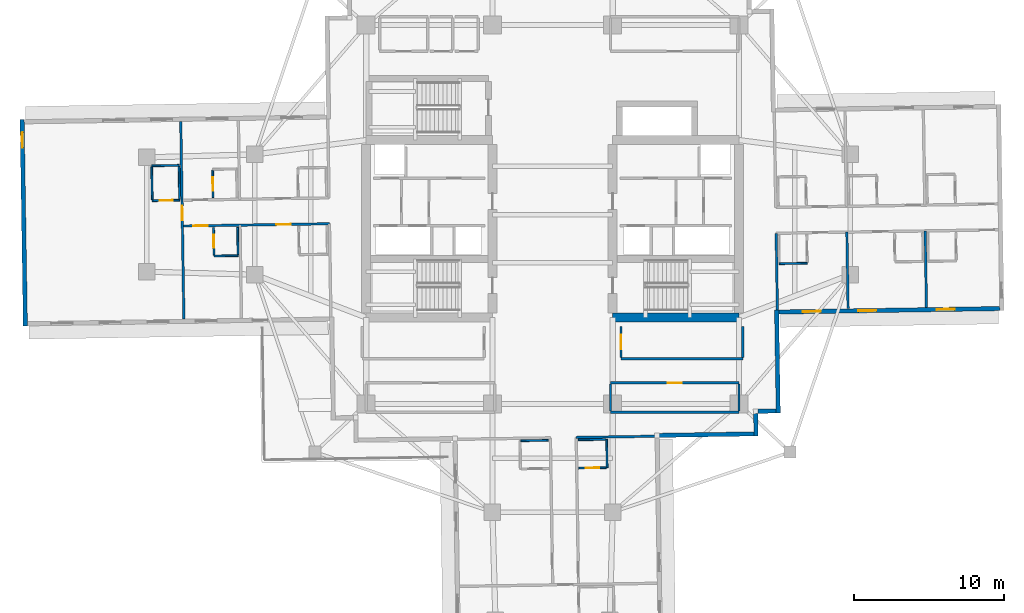
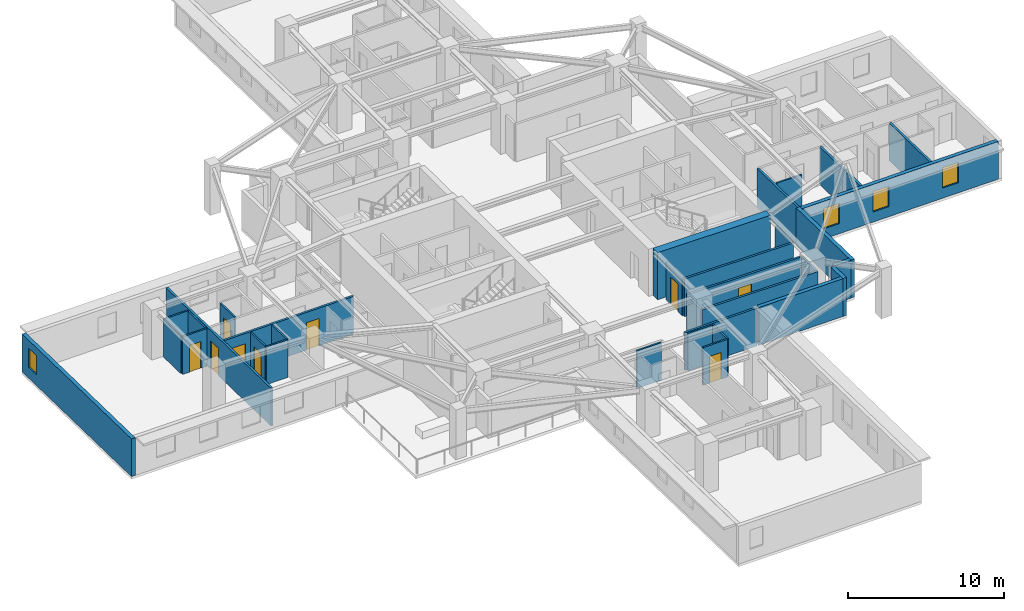
# One storey, part 4 of 14: 33 walls, 9 doors, 4 windows, 13 openings.
"""IFC4 building model written with IfcOpenShell, lengths in metres."""

from ifc_helpers import new_model, si_unit, direction, frame, frame_2d, origin, place, context, subcontext, project, spatial, rectangle, extrude, material, layer, layer_set, type_object, element, fill, save


model = new_model("IFC4")

# Units and contexts
model_context = context("Model", 3, precision=1e-05, world=origin(), true_north=direction((0.0, 1.0)))
body_context = subcontext(model_context, "Body", "Model", "MODEL_VIEW")
ifc_project = project(units=[si_unit("LENGTHUNIT", "METRE"), si_unit("AREAUNIT", "SQUARE_METRE"), si_unit("VOLUMEUNIT", "CUBIC_METRE"), si_unit("PLANEANGLEUNIT", "RADIAN"), si_unit("MASSUNIT", "GRAM", prefix="KILO")], contexts=[model_context])

# Site, building, storey
site_placement = place(None, origin())
site = spatial("IfcSite", under=ifc_project, at=site_placement, CompositionType="ELEMENT")
building_placement = place(site_placement, origin())
building = spatial("IfcBuilding", under=site, at=building_placement, Name="Qingluan Cross Belvedere", CompositionType="ELEMENT")
storey_placement = place(building_placement, frame((0.0, 0.0, 108.60009765625)))
storey = spatial("IfcBuildingStorey", under=building, at=storey_placement, Name="L27", CompositionType="ELEMENT", Elevation=108.60009765625)

# Walls
ifc_material_1 = material(Name="Concrete C60", Category="concrete")
ifc_layer_1 = layer(ifc_material_1, 0.60009765625, Name="CoreShearWall_600")
ifc_layer_set_1 = layer_set([ifc_layer_1], Name="Concrete C60")
wall_type_1 = type_object("IfcWallType", Name="CoreShearWall_600", PredefinedType="SHEAR", material=ifc_layer_set_1)
wall_1_placement = place(storey_placement, frame((4.0, -6.85009765625, 0.0), z_axis=(0.0, 0.0, 1.0), x_axis=(1.0, 0.0, 0.0)))
element("IfcWall", 1, at=wall_1_placement, inside=storey, type_object=wall_type_1, Name="Split core E shear wall L27-S", PredefinedType="SHEAR", context=body_context, shape_type="SweptSolid", body=[
    extrude(rectangle(XDim=8.39990234375, YDim=0.60009765625, at=frame_2d((4.199951171875, 0.0))), origin(), (0.0, 0.0, 1.0), 3.699951171875),
])
ifc_material_2 = material(Name="Gypsum plasterboard on steel stud acoustic partition", Category="steel")
ifc_layer_2 = layer(ifc_material_2, 0.159912109375, Name="CorridorPartition_160")
ifc_layer_set_2 = layer_set([ifc_layer_2], Name="Gypsum plasterboard on steel stud acoustic partition")
wall_type_2 = type_object("IfcWallType", Name="CorridorPartition_160", PredefinedType="PARTITIONING", material=ifc_layer_set_2)
wall_2_placement = place(storey_placement, frame((3.85009765625, -13.14990234375, 0.0), z_axis=(0.0, 0.0, 1.0), x_axis=(1.0, 0.0, 0.0)))
element("IfcWall", 2, at=wall_2_placement, inside=storey, type_object=wall_type_2, Name="Partition L27:q_se:S", PredefinedType="PARTITIONING", context=body_context, shape_type="SweptSolid", body=[
    extrude(rectangle(XDim=8.5498046875, YDim=0.159912109375, at=frame_2d((4.27490234375, 0.0))), origin(), (0.0, 0.0, 1.0), 2.9599609375),
])

# Wall, opening, door
wall_3_placement = place(storey_placement, frame((3.85009765625, -11.199951171875, 0.0), z_axis=(0.0, 0.0, 1.0), x_axis=(1.0, 0.0, 0.0)))
wall_3 = element("IfcWall", 3, at=wall_3_placement, inside=storey, type_object=wall_type_2, Name="Partition L27:q_se:N", PredefinedType="PARTITIONING", context=body_context, shape_type="SweptSolid", body=[
    extrude(rectangle(XDim=8.5498046875, YDim=0.159912109375, at=frame_2d((4.27490234375, 0.0))), origin(), (0.0, 0.0, 1.0), 2.9599609375),
])
opening_1_placement = place(wall_3_placement, frame((3.794921875, 0.0, 0.0)))
opening_1 = element("IfcOpeningElement", 4, at=opening_1_placement, cuts=wall_3, Name="Opening GD-10", PredefinedType="OPENING", context=body_context, shape_type="SweptSolid", body=[
    extrude(rectangle(XDim=0.9599609375, YDim=2.14990234375, at=frame_2d((0.47998046875, 1.074951171875))), frame((0.0, 0.08984375, 0.0), z_axis=(0.0, -1.0, 0.0), x_axis=(1.0, 0.0, 0.0)), (0.0, 0.0, 1.0), 0.179931640625),
])
ifc_material_3 = material(Name="Timber oak fire-rated acoustic guestroom door", Category="wood")
door_type_1 = type_object("IfcDoorType", Name="GuestEntryDoor_FD60", OperationType="NOTDEFINED", PredefinedType="DOOR", material=ifc_material_3)
door_1_placement = place(opening_1_placement, origin())
door_1 = element("IfcDoor", 5, at=door_1_placement, inside=storey, type_object=door_type_1, Name="Concierge business office L27 door", OperationType="SINGLE_SWING_LEFT", OverallHeight=2.14990234375, OverallWidth=0.9599609375, PredefinedType="DOOR", context=body_context, shape_type="SweptSolid", body=[
    extrude(rectangle(XDim=0.9599609375, YDim=2.14990234375, at=frame_2d((0.47998046875, 1.074951171875))), frame((0.0, 0.02490234375, 0.0), z_axis=(0.0, -1.0, 0.0), x_axis=(1.0, 0.0, 0.0)), (0.0, 0.0, 1.0), 0.050048828125),
])
fill(opening_1, door_1)

# Walls
for number, where, z_axis, x_axis, name in (
    (6, (3.85009765625, -13.06494140625, 0.0), (0.0, 0.0, 1.0), (0.0, 1.0, 0.0), "Partition L27:q_se:W"),
    (7, (12.39990234375, -13.06494140625, 0.0), (0.0, 0.0, 1.0), (0.0, 1.0, 0.0), "Partition L27:q_se:E"),
):
    element("IfcWall", number, at=place(storey_placement, frame(where, z_axis=z_axis, x_axis=x_axis)), inside=storey, type_object=wall_type_2, Name=name, PredefinedType="PARTITIONING", context=body_context, shape_type="SweptSolid", body=[
        extrude(rectangle(XDim=1.780029296875, YDim=0.159912109375, at=frame_2d((0.89013671875, 0.0))), origin(), (0.0, 0.0, 1.0), 2.9599609375),
    ])
wall_4_placement = place(storey_placement, frame((4.550048828125, -9.580078125, 0.0), z_axis=(0.0, 0.0, 1.0), x_axis=(1.0, 0.0, 0.0)))
element("IfcWall", 8, at=wall_4_placement, inside=storey, type_object=wall_type_2, Name="Partition L27:rec_st4:S", PredefinedType="PARTITIONING", context=body_context, shape_type="SweptSolid", body=[
    extrude(rectangle(XDim=8.099853515625, YDim=0.159912109375, at=frame_2d((4.0498046875, 0.0))), origin(), (0.0, 0.0, 1.0), 2.9599609375),
])

# Wall, opening, door
wall_5_placement = place(storey_placement, frame((4.550048828125, -9.4951171875, 0.0), z_axis=(0.0, 0.0, 1.0), x_axis=(0.0, 1.0, 0.0)))
wall_5 = element("IfcWall", 9, at=wall_5_placement, inside=storey, type_object=wall_type_2, Name="Partition L27:rec_st4:W", PredefinedType="PARTITIONING", context=body_context, shape_type="SweptSolid", body=[
    extrude(rectangle(XDim=2.06005859375, YDim=0.159912109375, at=frame_2d((1.030029296875, 0.0))), origin(), (0.0, 0.0, 1.0), 2.9599609375),
])
opening_2_placement = place(wall_5_placement, frame((0.550048828125, 0.0, 0.0)))
opening_2 = element("IfcOpeningElement", 10, at=opening_2_placement, cuts=wall_5, Name="Opening GD-10", PredefinedType="OPENING", context=body_context, shape_type="SweptSolid", body=[
    extrude(rectangle(XDim=0.9599609375, YDim=2.14990234375, at=frame_2d((0.47998046875, 1.074951171875))), frame((0.0, 0.08984375, 0.0), z_axis=(0.0, -1.0, 0.0), x_axis=(1.0, 0.0, 0.0)), (0.0, 0.0, 1.0), 0.179931640625),
])
door_2_placement = place(opening_2_placement, origin())
door_2 = element("IfcDoor", 11, at=door_2_placement, inside=storey, type_object=door_type_1, Name="Southeast club library room L27 door", OperationType="SINGLE_SWING_RIGHT", OverallHeight=2.14990234375, OverallWidth=0.9599609375, PredefinedType="DOOR", context=body_context, shape_type="SweptSolid", body=[
    extrude(rectangle(XDim=0.9599609375, YDim=2.14990234375, at=frame_2d((0.47998046875, 1.074951171875))), frame((0.0, 0.02490234375, 0.0), z_axis=(0.0, -1.0, 0.0), x_axis=(1.0, 0.0, 0.0)), (0.0, 0.0, 1.0), 0.050048828125),
])
fill(opening_2, door_2)

# Walls
wall_6_placement = place(storey_placement, frame((12.64990234375, -9.4951171875, 0.0), z_axis=(0.0, 0.0, 1.0), x_axis=(0.0, 1.0, 0.0)))
element("IfcWall", 12, at=wall_6_placement, inside=storey, type_object=wall_type_2, Name="Partition L27:rec_st4:E", PredefinedType="PARTITIONING", context=body_context, shape_type="SweptSolid", body=[
    extrude(rectangle(XDim=2.06005859375, YDim=0.159912109375, at=frame_2d((1.030029296875, 0.0))), origin(), (0.0, 0.0, 1.0), 2.9599609375),
])
wall_7_placement = place(storey_placement, frame((14.871337890625, -1.24658203125, 0.0), z_axis=(0.0, 0.0, 1.0), x_axis=(0.015726452326, -0.999876331702, 0.0)))
element("IfcWall", 13, at=wall_7_placement, inside=storey, type_object=wall_type_2, Name="Partition L27:E:s1", PredefinedType="PARTITIONING", context=body_context, shape_type="SweptSolid", body=[
    extrude(rectangle(XDim=5.092041015625, YDim=0.159912109375, at=frame_2d((2.5458984375, 0.0))), origin(), (0.0, 0.0, 1.0), 2.9599609375),
])
wall_8_placement = place(storey_placement, frame((19.57373046875, -1.172607421875, 0.0), z_axis=(0.0, 0.0, 1.0), x_axis=(0.015725698427, -0.999876343559, 0.0)))
element("IfcWall", 14, at=wall_8_placement, inside=storey, type_object=wall_type_2, Name="Partition L27:E:d1_0", PredefinedType="PARTITIONING", context=body_context, shape_type="SweptSolid", body=[
    extrude(rectangle(XDim=5.09228515625, YDim=0.159912109375, at=frame_2d((2.546142578125, 0.0))), origin(), (0.0, 0.0, 1.0), 2.9599609375),
])
wall_9_placement = place(storey_placement, frame((24.7841796875, -1.0908203125, 0.0), z_axis=(0.0, 0.0, 1.0), x_axis=(0.015726452326, -0.999876331702, 0.0)))
element("IfcWall", 15, at=wall_9_placement, inside=storey, type_object=wall_type_2, Name="Partition L27:E:d1_1", PredefinedType="PARTITIONING", context=body_context, shape_type="SweptSolid", body=[
    extrude(rectangle(XDim=5.092041015625, YDim=0.159912109375, at=frame_2d((2.5458984375, 0.0))), origin(), (0.0, 0.0, 1.0), 2.9599609375),
])

# Wall, openings, doors
wall_10_placement = place(storey_placement, frame((-14.84228515625, -0.61328125, 0.0), z_axis=(0.0, 0.0, 1.0), x_axis=(-0.999876658521, -0.015705659641, 0.0)))
wall_10 = element("IfcWall", 16, at=wall_10_placement, inside=storey, type_object=wall_type_2, Name="Partition L27:W:c1", PredefinedType="PARTITIONING", context=body_context, shape_type="SweptSolid", body=[
    extrude(rectangle(XDim=9.699951171875, YDim=0.159912109375, at=frame_2d((4.85009765625, 0.0))), origin(), (0.0, 0.0, 1.0), 2.9599609375),
])
opening_3_placement = place(wall_10_placement, frame((2.574951171875, 0.0, 0.0)))
opening_3 = element("IfcOpeningElement", 17, at=opening_3_placement, cuts=wall_10, Name="Opening GD-10", PredefinedType="OPENING", context=body_context, shape_type="SweptSolid", body=[
    extrude(rectangle(XDim=0.9599609375, YDim=2.14990234375, at=frame_2d((0.47998046875, 1.074951171875))), frame((0.0, 0.08984375, 0.0), z_axis=(0.0, -1.0, 0.0), x_axis=(1.0, 0.0, 0.0)), (0.0, 0.0, 1.0), 0.179931640625),
])
opening_4_placement = place(wall_10_placement, frame((8.096923828125, 0.0, 0.0)))
opening_4 = element("IfcOpeningElement", 18, at=opening_4_placement, cuts=wall_10, Name="Opening GD-10", PredefinedType="OPENING", context=body_context, shape_type="SweptSolid", body=[
    extrude(rectangle(XDim=0.9599609375, YDim=2.14990234375, at=frame_2d((0.47998046875, 1.074951171875))), frame((0.0, 0.08984375, 0.0), z_axis=(0.0, -1.0, 0.0), x_axis=(1.0, 0.0, 0.0)), (0.0, 0.0, 1.0), 0.179931640625),
])
door_3_placement = place(opening_3_placement, origin())
door_3 = element("IfcDoor", 19, at=door_3_placement, inside=storey, type_object=door_type_1, Name="Guest entry fire door 2709", OperationType="SINGLE_SWING_RIGHT", OverallHeight=2.14990234375, OverallWidth=0.9599609375, PredefinedType="DOOR", context=body_context, shape_type="SweptSolid", body=[
    extrude(rectangle(XDim=0.9599609375, YDim=2.14990234375, at=frame_2d((0.47998046875, 1.074951171875))), frame((0.0, 0.02490234375, 0.0), z_axis=(0.0, -1.0, 0.0), x_axis=(1.0, 0.0, 0.0)), (0.0, 0.0, 1.0), 0.050048828125),
])
fill(opening_3, door_3)
door_4_placement = place(opening_4_placement, origin())
door_4 = element("IfcDoor", 20, at=door_4_placement, inside=storey, type_object=door_type_1, Name="Guest entry fire door 2710", OperationType="SINGLE_SWING_RIGHT", OverallHeight=2.14990234375, OverallWidth=0.9599609375, PredefinedType="DOOR", context=body_context, shape_type="SweptSolid", body=[
    extrude(rectangle(XDim=0.9599609375, YDim=2.14990234375, at=frame_2d((0.47998046875, 1.074951171875))), frame((0.0, 0.02490234375, 0.0), z_axis=(0.0, -1.0, 0.0), x_axis=(1.0, 0.0, 0.0)), (0.0, 0.0, 1.0), 0.050048828125),
])
fill(opening_4, door_4)

# Wall
wall_11_placement = place(storey_placement, frame((1.572998046875, -14.8271484375, 0.0), z_axis=(0.0, 0.0, 1.0), x_axis=(0.999876730622, 0.015701068748, 0.0)))
element("IfcWall", 21, at=wall_11_placement, inside=storey, type_object=wall_type_2, Name="Partition L27:S:s0", PredefinedType="PARTITIONING", context=body_context, shape_type="SweptSolid", body=[
    extrude(rectangle(XDim=5.380126953125, YDim=0.159912109375, at=frame_2d((2.68994140625, 0.0))), origin(), (0.0, 0.0, 1.0), 2.9599609375),
])

# Wall, opening, door
wall_12_placement = place(storey_placement, frame((-24.523681640625, -6.9580078125, 0.0), z_axis=(0.0, 0.0, 1.0), x_axis=(-0.015713911007, 0.999876528878, 0.0)))
wall_12 = element("IfcWall", 22, at=wall_12_placement, inside=storey, type_object=wall_type_2, Name="Partition L27:Wcap:in", PredefinedType="PARTITIONING", context=body_context, shape_type="SweptSolid", body=[
    extrude(rectangle(XDim=13.14404296875, YDim=0.159912109375, at=frame_2d((6.572021484375, 0.0))), origin(), (0.0, 0.0, 1.0), 2.9599609375),
])
opening_5_placement = place(wall_12_placement, frame((6.572021484375, 0.0, 0.0)))
opening_5 = element("IfcOpeningElement", 23, at=opening_5_placement, cuts=wall_12, Name="Opening GD-10", PredefinedType="OPENING", context=body_context, shape_type="SweptSolid", body=[
    extrude(rectangle(XDim=0.9599609375, YDim=2.14990234375, at=frame_2d((0.47998046875, 1.074951171875))), frame((0.0, 0.08984375, 0.0), z_axis=(0.0, -1.0, 0.0), x_axis=(1.0, 0.0, 0.0)), (0.0, 0.0, 1.0), 0.179931640625),
])
door_5_placement = place(opening_5_placement, origin())
door_5 = element("IfcDoor", 24, at=door_5_placement, inside=storey, type_object=door_type_1, Name="Presidential suite entrance door L27W", OperationType="SINGLE_SWING_LEFT", OverallHeight=2.14990234375, OverallWidth=0.9599609375, PredefinedType="DOOR", context=body_context, shape_type="SweptSolid", body=[
    extrude(rectangle(XDim=0.9599609375, YDim=2.14990234375, at=frame_2d((0.47998046875, 1.074951171875))), frame((0.0, 0.02490234375, 0.0), z_axis=(0.0, -1.0, 0.0), x_axis=(1.0, 0.0, 0.0)), (0.0, 0.0, 1.0), 0.050048828125),
])
fill(opening_5, door_5)

# Wall
ifc_material_4 = material(Name="Moisture-resistant gypsum board lining")
ifc_layer_3 = layer(ifc_material_4, 0.1201171875, Name="EnsuiteWetPartition_120")
ifc_layer_set_3 = layer_set([ifc_layer_3], Name="Moisture-resistant gypsum board lining")
wall_type_3 = type_object("IfcWallType", Name="EnsuiteWetPartition_120", PredefinedType="PARTITIONING", material=ifc_layer_set_3)
wall_13_placement = place(storey_placement, frame((15.063232421875, -3.268798828125, 0.0), z_axis=(0.0, 0.0, 1.0), x_axis=(0.999876553475, 0.01571234584, 0.0)))
element("IfcWall", 25, at=wall_13_placement, inside=storey, type_object=wall_type_3, Name="Partition L27:E:bc1_0", PredefinedType="PARTITIONING", context=body_context, shape_type="SweptSolid", body=[
    extrude(rectangle(XDim=1.880126953125, YDim=0.1201171875, at=frame_2d((0.93994140625, 0.0))), origin(), (0.0, 0.0, 1.0), 2.9599609375),
])

# Wall, opening, door
wall_14_placement = place(storey_placement, frame((-22.58056640625, 1.12548828125, 0.0), z_axis=(0.0, 0.0, 1.0), x_axis=(-0.015694337248, 0.999876836305, 0.0)))
wall_14 = element("IfcWall", 26, at=wall_14_placement, inside=storey, type_object=wall_type_3, Name="Partition L27:W:bs0_1", PredefinedType="PARTITIONING", context=body_context, shape_type="SweptSolid", body=[
    extrude(rectangle(XDim=1.820068359375, YDim=0.1201171875, at=frame_2d((0.91015625, 0.0))), origin(), (0.0, 0.0, 1.0), 2.9599609375),
])
opening_6_placement = place(wall_14_placement, frame((0.469970703125, 0.0, 0.0)))
opening_6 = element("IfcOpeningElement", 27, at=opening_6_placement, cuts=wall_14, Name="Opening BD-09", PredefinedType="OPENING", context=body_context, shape_type="SweptSolid", body=[
    extrude(rectangle(XDim=0.8798828125, YDim=2.10009765625, at=frame_2d((0.43994140625, 1.050048828125))), frame((0.0, 0.070068359375, 0.0), z_axis=(0.0, -1.0, 0.0), x_axis=(1.0, 0.0, 0.0)), (0.0, 0.0, 1.0), 0.14013671875),
])
ifc_material_5 = material(Name="Moisture-sealed timber en-suite door", Category="wood")
door_type_2 = type_object("IfcDoorType", Name="BathroomDoor_880", OperationType="NOTDEFINED", PredefinedType="DOOR", material=ifc_material_5)
door_6_placement = place(opening_6_placement, origin())
door_6 = element("IfcDoor", 28, at=door_6_placement, inside=storey, type_object=door_type_2, Name="Bathroom door 2708", OperationType="SINGLE_SWING_LEFT", OverallHeight=2.10009765625, OverallWidth=0.8798828125, PredefinedType="DOOR", context=body_context, shape_type="SweptSolid", body=[
    extrude(rectangle(XDim=0.8798828125, YDim=2.10009765625, at=frame_2d((0.43994140625, 1.050048828125))), frame((0.0, 0.02490234375, 0.0), z_axis=(0.0, -1.0, 0.0), x_axis=(1.0, 0.0, 0.0)), (0.0, 0.0, 1.0), 0.050048828125),
])
fill(opening_6, door_6)

wall_15_placement = place(storey_placement, frame((-22.5205078125, -2.694091796875, 0.0), z_axis=(0.0, 0.0, 1.0), x_axis=(-0.015694337248, 0.999876836305, 0.0)))
wall_15 = element("IfcWall", 29, at=wall_15_placement, inside=storey, type_object=wall_type_3, Name="Partition L27:W:bs1_1", PredefinedType="PARTITIONING", context=body_context, shape_type="SweptSolid", body=[
    extrude(rectangle(XDim=1.820068359375, YDim=0.1201171875, at=frame_2d((0.91015625, 0.0))), origin(), (0.0, 0.0, 1.0), 2.9599609375),
])
opening_7_placement = place(wall_15_placement, frame((0.469970703125, 0.0, 0.0)))
opening_7 = element("IfcOpeningElement", 30, at=opening_7_placement, cuts=wall_15, Name="Opening BD-09", PredefinedType="OPENING", context=body_context, shape_type="SweptSolid", body=[
    extrude(rectangle(XDim=0.8798828125, YDim=2.10009765625, at=frame_2d((0.43994140625, 1.050048828125))), frame((0.0, 0.070068359375, 0.0), z_axis=(0.0, -1.0, 0.0), x_axis=(1.0, 0.0, 0.0)), (0.0, 0.0, 1.0), 0.14013671875),
])
door_7_placement = place(opening_7_placement, origin())
door_7 = element("IfcDoor", 31, at=door_7_placement, inside=storey, type_object=door_type_2, Name="Bathroom door 2710", OperationType="SINGLE_SWING_LEFT", OverallHeight=2.10009765625, OverallWidth=0.8798828125, PredefinedType="DOOR", context=body_context, shape_type="SweptSolid", body=[
    extrude(rectangle(XDim=0.8798828125, YDim=2.10009765625, at=frame_2d((0.43994140625, 1.050048828125))), frame((0.0, 0.02490234375, 0.0), z_axis=(0.0, -1.0, 0.0), x_axis=(1.0, 0.0, 0.0)), (0.0, 0.0, 1.0), 0.050048828125),
])
fill(opening_7, door_7)

# Walls
wall_16_placement = place(storey_placement, frame((-20.920654296875, -2.6689453125, 0.0), z_axis=(0.0, 0.0, 1.0), x_axis=(-0.015694337248, 0.999876836305, 0.0)))
element("IfcWall", 32, at=wall_16_placement, inside=storey, type_object=wall_type_3, Name="Partition L27:W:bw1_1", PredefinedType="PARTITIONING", context=body_context, shape_type="SweptSolid", body=[
    extrude(rectangle(XDim=1.820068359375, YDim=0.1201171875, at=frame_2d((0.91015625, 0.0))), origin(), (0.0, 0.0, 1.0), 2.9599609375),
])
wall_17_placement = place(storey_placement, frame((-20.919677734375, -2.73388671875, 0.0), z_axis=(0.0, 0.0, 1.0), x_axis=(-0.999876457556, -0.015718448585, 0.0)))
element("IfcWall", 33, at=wall_17_placement, inside=storey, type_object=wall_type_3, Name="Partition L27:W:bc1_1", PredefinedType="PARTITIONING", context=body_context, shape_type="SweptSolid", body=[
    extrude(rectangle(XDim=1.599853515625, YDim=0.1201171875, at=frame_2d((0.7998046875, 0.0))), origin(), (0.0, 0.0, 1.0), 2.9599609375),
])

# Wall, opening, door
wall_18_placement = place(storey_placement, frame((1.7451171875, -16.86474609375, 0.0), z_axis=(0.0, 0.0, 1.0), x_axis=(0.999876836305, 0.015694337248, 0.0)))
wall_18 = element("IfcWall", 34, at=wall_18_placement, inside=storey, type_object=wall_type_3, Name="Partition L27:S:bs0_0", PredefinedType="PARTITIONING", context=body_context, shape_type="SweptSolid", body=[
    extrude(rectangle(XDim=1.820068359375, YDim=0.1201171875, at=frame_2d((0.91015625, 0.0))), origin(), (0.0, 0.0, 1.0), 2.9599609375),
])
opening_8_placement = place(wall_18_placement, frame((0.469970703125, 0.0, 0.0)))
opening_8 = element("IfcOpeningElement", 35, at=opening_8_placement, cuts=wall_18, Name="Opening BD-09", PredefinedType="OPENING", context=body_context, shape_type="SweptSolid", body=[
    extrude(rectangle(XDim=0.8798828125, YDim=2.10009765625, at=frame_2d((0.43994140625, 1.050048828125))), frame((0.0, 0.070068359375, 0.0), z_axis=(0.0, -1.0, 0.0), x_axis=(1.0, 0.0, 0.0)), (0.0, 0.0, 1.0), 0.14013671875),
])
door_8_placement = place(opening_8_placement, origin())
door_8 = element("IfcDoor", 36, at=door_8_placement, inside=storey, type_object=door_type_2, Name="Bathroom door 2715", OperationType="SINGLE_SWING_LEFT", OverallHeight=2.10009765625, OverallWidth=0.8798828125, PredefinedType="DOOR", context=body_context, shape_type="SweptSolid", body=[
    extrude(rectangle(XDim=0.8798828125, YDim=2.10009765625, at=frame_2d((0.43994140625, 1.050048828125))), frame((0.0, 0.02490234375, 0.0), z_axis=(0.0, -1.0, 0.0), x_axis=(1.0, 0.0, 0.0)), (0.0, 0.0, 1.0), 0.050048828125),
])
fill(opening_8, door_8)

# Walls
wall_19_placement = place(storey_placement, frame((1.715576171875, -14.98486328125, 0.0), z_axis=(0.0, 0.0, 1.0), x_axis=(0.999876836305, 0.015694337248, 0.0)))
element("IfcWall", 37, at=wall_19_placement, inside=storey, type_object=wall_type_3, Name="Partition L27:S:bw0_0", PredefinedType="PARTITIONING", context=body_context, shape_type="SweptSolid", body=[
    extrude(rectangle(XDim=1.820068359375, YDim=0.1201171875, at=frame_2d((0.91015625, 0.0))), origin(), (0.0, 0.0, 1.0), 2.9599609375),
])
wall_20_placement = place(storey_placement, frame((3.600341796875, -14.955322265625, 0.0), z_axis=(0.0, 0.0, 1.0), x_axis=(0.01571234584, -0.999876553475, 0.0)))
element("IfcWall", 38, at=wall_20_placement, inside=storey, type_object=wall_type_3, Name="Partition L27:S:bn0_0", PredefinedType="PARTITIONING", context=body_context, shape_type="SweptSolid", body=[
    extrude(rectangle(XDim=1.880126953125, YDim=0.1201171875, at=frame_2d((0.93994140625, 0.0))), origin(), (0.0, 0.0, 1.0), 2.9599609375),
])
wall_21_placement = place(storey_placement, frame((-2.10400390625, -15.044921875, 0.0), z_axis=(0.0, 0.0, 1.0), x_axis=(0.999876836305, 0.015694337248, 0.0)))
element("IfcWall", 39, at=wall_21_placement, inside=storey, type_object=wall_type_3, Name="Partition L27:S:bw1_0", PredefinedType="PARTITIONING", context=body_context, shape_type="SweptSolid", body=[
    extrude(rectangle(XDim=1.820068359375, YDim=0.1201171875, at=frame_2d((0.91015625, 0.0))), origin(), (0.0, 0.0, 1.0), 2.9599609375),
])
for number, where, z_axis, x_axis, name in (
    (40, (-24.80908203125, 1.0205078125, 0.0), (0.0, 0.0, 1.0), (-0.015679076008, 0.999877075733, 0.0), "Partition L27:Wcap:ba"),
    (41, (-26.62890625, 0.991943359375, 0.0), (0.0, 0.0, 1.0), (-0.015679076008, 0.999877075733, 0.0), "Partition L27:Wcap:bb"),
):
    element("IfcWall", number, at=place(storey_placement, frame(where, z_axis=z_axis, x_axis=x_axis)), inside=storey, type_object=wall_type_3, Name=name, PredefinedType="PARTITIONING", context=body_context, shape_type="SweptSolid", body=[
        extrude(rectangle(XDim=2.179931640625, YDim=0.1201171875, at=frame_2d((1.08984375, 0.0))), origin(), (0.0, 0.0, 1.0), 2.9599609375),
    ])

# Wall, opening, door
wall_22_placement = place(storey_placement, frame((-24.80810546875, 0.950439453125, 0.0), z_axis=(0.0, 0.0, 1.0), x_axis=(-0.999876803258, -0.015696442504, 0.0)))
wall_22 = element("IfcWall", 42, at=wall_22_placement, inside=storey, type_object=wall_type_3, Name="Partition L27:Wcap:bs", PredefinedType="PARTITIONING", context=body_context, shape_type="SweptSolid", body=[
    extrude(rectangle(XDim=1.81982421875, YDim=0.1201171875, at=frame_2d((0.909912109375, 0.0))), origin(), (0.0, 0.0, 1.0), 2.9599609375),
])
opening_9_placement = place(wall_22_placement, frame((0.449951171875, 0.0, 0.0)))
opening_9 = element("IfcOpeningElement", 43, at=opening_9_placement, cuts=wall_22, Name="Opening BD-09", PredefinedType="OPENING", context=body_context, shape_type="SweptSolid", body=[
    extrude(rectangle(XDim=0.8798828125, YDim=2.10009765625, at=frame_2d((0.43994140625, 1.050048828125))), frame((0.0, 0.070068359375, 0.0), z_axis=(0.0, -1.0, 0.0), x_axis=(1.0, 0.0, 0.0)), (0.0, 0.0, 1.0), 0.14013671875),
])
door_9_placement = place(opening_9_placement, origin())
door_9 = element("IfcDoor", 44, at=door_9_placement, inside=storey, type_object=door_type_2, Name="En-suite bathroom door L27W", OperationType="SINGLE_SWING_RIGHT", OverallHeight=2.10009765625, OverallWidth=0.8798828125, PredefinedType="DOOR", context=body_context, shape_type="SweptSolid", body=[
    extrude(rectangle(XDim=0.8798828125, YDim=2.10009765625, at=frame_2d((0.43994140625, 1.050048828125))), frame((0.0, 0.02490234375, 0.0), z_axis=(0.0, -1.0, 0.0), x_axis=(1.0, 0.0, 0.0)), (0.0, 0.0, 1.0), 0.050048828125),
])
fill(opening_9, door_9)

# Wall
wall_23_placement = place(storey_placement, frame((-24.844482421875, 3.270263671875, 0.0), z_axis=(0.0, 0.0, 1.0), x_axis=(-0.999876836305, -0.015694337248, 0.0)))
element("IfcWall", 45, at=wall_23_placement, inside=storey, type_object=wall_type_3, Name="Partition L27:Wcap:bn", PredefinedType="PARTITIONING", context=body_context, shape_type="SweptSolid", body=[
    extrude(rectangle(XDim=1.820068359375, YDim=0.1201171875, at=frame_2d((0.91015625, 0.0))), origin(), (0.0, 0.0, 1.0), 2.9599609375),
])

# Wall, openings, windows
ifc_material_6 = material(Name="Precast concrete C45", Category="concrete")
ifc_layer_4 = layer(ifc_material_6, 0.280029296875, Name="PrecastFacadeWall_280")
ifc_layer_set_4 = layer_set([ifc_layer_4], Name="Precast concrete C45")
wall_type_4 = type_object("IfcWallType", Name="PrecastFacadeWall_280", PredefinedType="STANDARD", material=ifc_layer_set_4)
wall_24_placement = place(storey_placement, frame((15.043701171875, -6.484619140625, 0.0), z_axis=(0.0, 0.0, 1.0), x_axis=(0.999876569875, 0.015711302158, 0.0)))
wall_24 = element("IfcWall", 46, at=wall_24_placement, inside=storey, type_object=wall_type_4, Name="Facade wall L27-EA", PredefinedType="STANDARD", context=body_context, shape_type="SweptSolid", body=[
    extrude(rectangle(XDim=14.699951171875, YDim=0.280029296875, at=frame_2d((7.35009765625, 0.0))), origin(), (0.0, 0.0, 1.0), 2.969970703125),
])
opening_10_placement = place(wall_24_placement, frame((1.60009765625, 0.0, 0.800048828125)))
opening_10 = element("IfcOpeningElement", 47, at=opening_10_placement, cuts=wall_24, Name="Opening W-02", PredefinedType="OPENING", context=body_context, shape_type="SweptSolid", body=[
    extrude(rectangle(XDim=1.199951171875, YDim=1.60009765625, at=frame_2d((0.60009765625, 0.800048828125))), frame((0.0, 0.14990234375, 0.0), z_axis=(0.0, -1.0, 0.0), x_axis=(1.0, 0.0, 0.0)), (0.0, 0.0, 1.0), 0.300048828125),
])
opening_11_placement = place(wall_24_placement, frame((5.300048828125, 0.0, 0.800048828125)))
opening_11 = element("IfcOpeningElement", 48, at=opening_11_placement, cuts=wall_24, Name="Opening W-02", PredefinedType="OPENING", context=body_context, shape_type="SweptSolid", body=[
    extrude(rectangle(XDim=1.199951171875, YDim=1.60009765625, at=frame_2d((0.60009765625, 0.800048828125))), frame((0.0, 0.14990234375, 0.0), z_axis=(0.0, -1.0, 0.0), x_axis=(1.0, 0.0, 0.0)), (0.0, 0.0, 1.0), 0.300048828125),
])
opening_12_placement = place(wall_24_placement, frame((10.5, 0.0, 0.800048828125)))
opening_12 = element("IfcOpeningElement", 49, at=opening_12_placement, cuts=wall_24, Name="Opening W-02", PredefinedType="OPENING", context=body_context, shape_type="SweptSolid", body=[
    extrude(rectangle(XDim=1.199951171875, YDim=1.60009765625, at=frame_2d((0.60009765625, 0.800048828125))), frame((0.0, 0.14990234375, 0.0), z_axis=(0.0, -1.0, 0.0), x_axis=(1.0, 0.0, 0.0)), (0.0, 0.0, 1.0), 0.300048828125),
])
ifc_material_7 = material(Name="Thermally broken triple Low-E glass in aluminium frame", Category="aluminium")
window_type_1 = type_object("IfcWindowType", Name="TriRibbonWin_1200x1600", PartitioningType="SINGLE_PANEL", PredefinedType="WINDOW", material=ifc_material_7)
window_1_placement = place(opening_10_placement, origin())
window_1 = element("IfcWindow", 50, at=window_1_placement, inside=storey, type_object=window_type_1, Name="Ribbon window L27-EA-1", OverallHeight=1.60009765625, OverallWidth=1.199951171875, PartitioningType="SINGLE_PANEL", PredefinedType="WINDOW", context=body_context, shape_type="SweptSolid", body=[
    extrude(rectangle(XDim=1.199951171875, YDim=1.60009765625, at=frame_2d((0.60009765625, 0.800048828125))), frame((0.0, 0.030029296875, 0.0), z_axis=(0.0, -1.0, 0.0), x_axis=(1.0, 0.0, 0.0)), (0.0, 0.0, 1.0), 0.06005859375),
])
fill(opening_10, window_1)
window_2_placement = place(opening_11_placement, origin())
window_2 = element("IfcWindow", 51, at=window_2_placement, inside=storey, type_object=window_type_1, Name="Ribbon window L27-EA-2", OverallHeight=1.60009765625, OverallWidth=1.199951171875, PartitioningType="SINGLE_PANEL", PredefinedType="WINDOW", context=body_context, shape_type="SweptSolid", body=[
    extrude(rectangle(XDim=1.199951171875, YDim=1.60009765625, at=frame_2d((0.60009765625, 0.800048828125))), frame((0.0, 0.030029296875, 0.0), z_axis=(0.0, -1.0, 0.0), x_axis=(1.0, 0.0, 0.0)), (0.0, 0.0, 1.0), 0.06005859375),
])
fill(opening_11, window_2)
window_3_placement = place(opening_12_placement, origin())
window_3 = element("IfcWindow", 52, at=window_3_placement, inside=storey, type_object=window_type_1, Name="Ribbon window L27-EA-3", OverallHeight=1.60009765625, OverallWidth=1.199951171875, PartitioningType="SINGLE_PANEL", PredefinedType="WINDOW", context=body_context, shape_type="SweptSolid", body=[
    extrude(rectangle(XDim=1.199951171875, YDim=1.60009765625, at=frame_2d((0.60009765625, 0.800048828125))), frame((0.0, 0.030029296875, 0.0), z_axis=(0.0, -1.0, 0.0), x_axis=(1.0, 0.0, 0.0)), (0.0, 0.0, 1.0), 0.06005859375),
])
fill(opening_12, window_3)

# Wall, opening, window
wall_25_placement = place(storey_placement, frame((-35.283447265625, 6.306640625, 0.0), z_axis=(0.0, 0.0, 1.0), x_axis=(0.015712599986, -0.999876549481, 0.0)))
wall_25 = element("IfcWall", 53, at=wall_25_placement, inside=storey, type_object=wall_type_4, Name="Arm tip precast facade wall L27-W", PredefinedType="STANDARD", context=body_context, shape_type="SweptSolid", body=[
    extrude(rectangle(XDim=13.719970703125, YDim=0.280029296875, at=frame_2d((6.85986328125, 0.0))), origin(), (0.0, 0.0, 1.0), 2.969970703125),
])
opening_13_placement = place(wall_25_placement, frame((0.85009765625, 0.0, 0.85009765625)))
opening_13 = element("IfcOpeningElement", 54, at=opening_13_placement, cuts=wall_25, Name="Opening W-03", PredefinedType="OPENING", context=body_context, shape_type="SweptSolid", body=[
    extrude(rectangle(XDim=1.0, YDim=1.5, at=frame_2d((0.5, 0.75))), frame((0.0, 0.14990234375, 0.0), z_axis=(0.0, -1.0, 0.0), x_axis=(1.0, 0.0, 0.0)), (0.0, 0.0, 1.0), 0.300048828125),
])
ifc_material_8 = material(Name="Thermally broken triple Low-E glass in aluminium frame", Category="aluminium")
window_type_2 = type_object("IfcWindowType", Name="TriApexWin_1000x1500", PartitioningType="SINGLE_PANEL", PredefinedType="WINDOW", material=ifc_material_8)
window_4_placement = place(opening_13_placement, origin())
window_4 = element("IfcWindow", 55, at=window_4_placement, inside=storey, type_object=window_type_2, Name="Arm tip triangular window L27-W", OverallHeight=1.5, OverallWidth=1.0, PartitioningType="SINGLE_PANEL", PredefinedType="WINDOW", context=body_context, shape_type="SweptSolid", body=[
    extrude(rectangle(XDim=1.0, YDim=1.5, at=frame_2d((0.5, 0.75))), frame((0.0, 0.030029296875, 0.0), z_axis=(0.0, -1.0, 0.0), x_axis=(1.0, 0.0, 0.0)), (0.0, 0.0, 1.0), 0.06005859375),
])
fill(opening_13, window_4)

# Walls
wall_26_placement = place(storey_placement, frame((14.901611328125, -6.3466796875, 0.0), z_axis=(0.0, 0.0, 1.0), x_axis=(0.015694809807, -0.999876828887, 0.0)))
element("IfcWall", 56, at=wall_26_placement, inside=storey, type_object=wall_type_4, Name="Corner wall L27-SE1", PredefinedType="STANDARD", context=body_context, shape_type="SweptSolid", body=[
    extrude(rectangle(XDim=6.85986328125, YDim=0.280029296875, at=frame_2d((3.429931640625, 0.0))), origin(), (0.0, 0.0, 1.0), 2.969970703125),
])
wall_27_placement = place(storey_placement, frame((14.8671875, -13.068115234375, 0.0), z_axis=(0.0, 0.0, 1.0), x_axis=(-0.999875053502, -0.015807510352, 0.0)))
element("IfcWall", 57, at=wall_27_placement, inside=storey, type_object=wall_type_4, Name="Corner wall L27-SE2", PredefinedType="STANDARD", context=body_context, shape_type="SweptSolid", body=[
    extrude(rectangle(XDim=1.22021484375, YDim=0.280029296875, at=frame_2d((0.610107421875, 0.0))), origin(), (0.0, 0.0, 1.0), 2.969970703125),
])
wall_28_placement = place(storey_placement, frame((13.509521484375, -13.2294921875, 0.0), z_axis=(0.0, 0.0, 1.0), x_axis=(0.015625635615, -0.999877912303, 0.0)))
element("IfcWall", 58, at=wall_28_placement, inside=storey, type_object=wall_type_4, Name="Corner wall L27-SE3", PredefinedType="STANDARD", context=body_context, shape_type="SweptSolid", body=[
    extrude(rectangle(XDim=1.5, YDim=0.280029296875, at=frame_2d((0.75, 0.0))), origin(), (0.0, 0.0, 1.0), 2.969970703125),
])
wall_29_placement = place(storey_placement, frame((13.390869140625, -14.591552734375, 0.0), z_axis=(0.0, 0.0, 1.0), x_axis=(-0.999876833368, -0.015694524359, 0.0)))
element("IfcWall", 59, at=wall_29_placement, inside=storey, type_object=wall_type_4, Name="Corner wall L27-SE4", PredefinedType="STANDARD", context=body_context, shape_type="SweptSolid", body=[
    extrude(rectangle(XDim=6.300048828125, YDim=0.280029296875, at=frame_2d((3.14990234375, 0.0))), origin(), (0.0, 0.0, 1.0), 2.969970703125),
])

save(model, "model.ifc")
